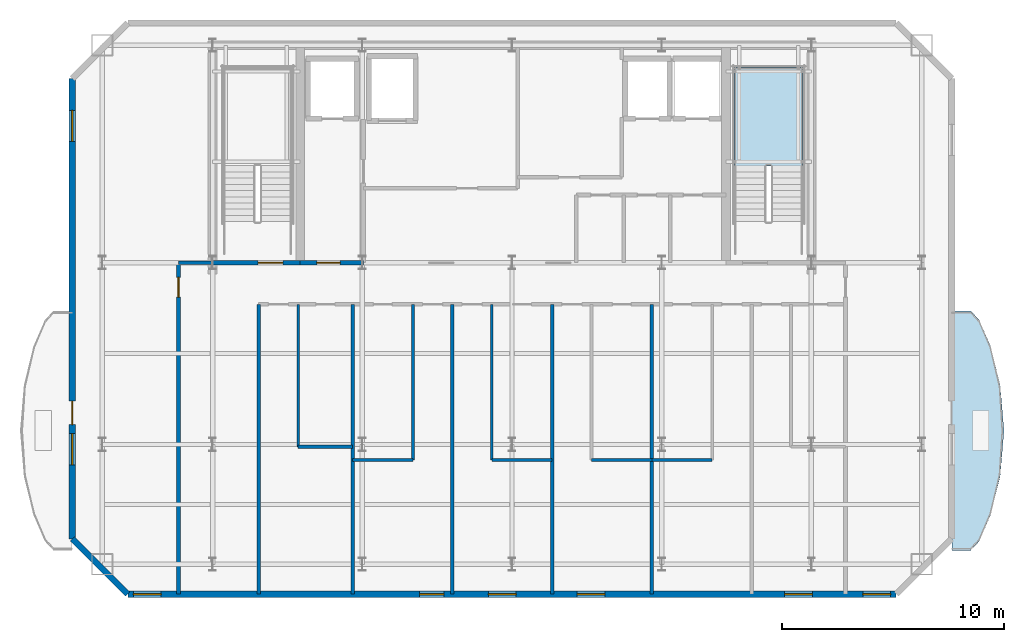
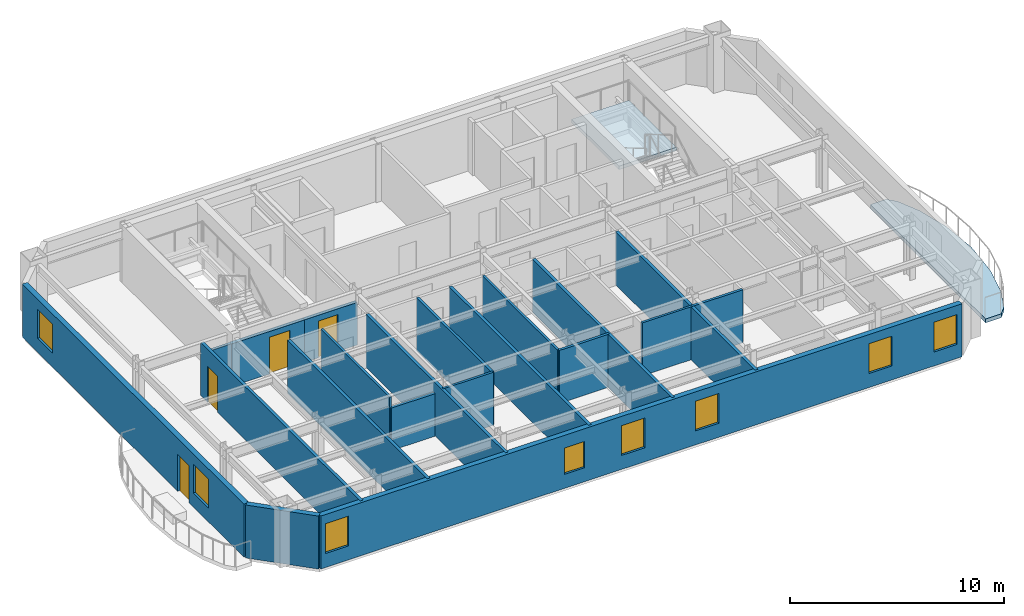
# One storey, part 2 of 6: 20 walls, 8 windows, 4 doors, 2 slabs, 12 openings, 1 element without a shape of its own.
"""IFC4 building model written with IfcOpenShell, lengths in metres."""

from ifc_helpers import new_model, si_unit, direction, frame, frame_2d, origin, place, context, subcontext, project, spatial, polyline, rectangle, outline, extrude, material, layer, layer_set, type_object, element, fill, aggregate, save


model = new_model("IFC4")

# Units and contexts
model_context = context("Model", 3, precision=1e-05, world=origin(), true_north=direction((0.0, 1.0)))
body_context = subcontext(model_context, "Body", "Model", "MODEL_VIEW")
ifc_project = project(units=[si_unit("LENGTHUNIT", "METRE"), si_unit("AREAUNIT", "SQUARE_METRE"), si_unit("VOLUMEUNIT", "CUBIC_METRE"), si_unit("PLANEANGLEUNIT", "RADIAN"), si_unit("MASSUNIT", "GRAM", prefix="KILO")], contexts=[model_context])

# Site, building, storey
site_placement = place(None, origin())
site = spatial("IfcSite", under=ifc_project, at=site_placement, CompositionType="ELEMENT")
building_placement = place(site_placement, origin())
building = spatial("IfcBuilding", under=site, at=building_placement, Name="Haevon Station Towers", CompositionType="ELEMENT")
storey_placement = place(building_placement, frame((0.0, 0.0, 252.60009765625)))
storey = spatial("IfcBuildingStorey", under=building, at=storey_placement, Name="L70", CompositionType="ELEMENT", Elevation=252.60009765625)

# Slab
ifc_material_1 = material(Name="Concrete C40/50", Category="concrete")
ifc_layer_1 = layer(ifc_material_1, 0.219970703125)
ifc_layer_set_1 = layer_set([ifc_layer_1], Name="Concrete C40/50")
slab_type_1 = type_object("IfcSlabType", Name="SL-BALC220", PredefinedType="FLOOR", material=ifc_layer_set_1)
slab_1_placement = place(storey_placement, frame((0.0, 0.0, -0.22021484375)))
element("IfcSlab", 1, at=slab_1_placement, inside=storey, type_object=slab_type_1, Name="Tower 1 L70 East SCALLOPED BALCONY", PredefinedType="FLOOR", context=body_context, shape_type="SweptSolid", body=[
    extrude(outline(polyline([(57.330078125, 25.22509765625), (58.179931640625, 25.22509765625), (58.56298828125, 25.635986328125), (59.0732421875, 26.806640625), (59.5087890625, 28.55859375), (59.683837890625, 30.625), (59.5087890625, 32.69140625), (59.0732421875, 34.443359375), (58.56298828125, 35.614013671875), (58.179931640625, 36.02490234375), (57.330078125, 36.02490234375), (57.330078125, 25.22509765625)])), origin(), (0.0, 0.0, 1.0), 0.22021484375),
])

# Stair, slab
stair_type = type_object("IfcStairType", Name="STR-DL1450", PredefinedType="USERDEFINED", material=ifc_material_1)
stair_placement = place(storey_placement, origin())
stair = element("IfcStair", 2, at=stair_placement, inside=storey, type_object=stair_type, Name="L70 Escape Stair ST2", ObjectType="TWO_RETURN_STAIR", PredefinedType="USERDEFINED")
ifc_layer_2 = layer(ifc_material_1, 0.199951171875)
ifc_layer_set_2 = layer_set([ifc_layer_2], Name="Concrete C40/50")
slab_type_2 = type_object("IfcSlabType", Name="SL-LND200", PredefinedType="LANDING", material=ifc_layer_set_2)
slab_2_placement = place(storey_placement, frame((0.0, 0.0, 1.449951171875)))
slab_2 = element("IfcSlab", 3, at=slab_2_placement, type_object=slab_type_2, Name="L70 ST2 Half Landing 1", PredefinedType="LANDING", context=body_context, shape_type="SweptSolid", body=[
    extrude(outline(polyline([(50.6201171875, 42.56396484375), (50.6201171875, 47.0), (47.52001953125, 47.0), (47.52001953125, 42.56396484375), (50.6201171875, 42.56396484375)])), origin(), (0.0, 0.0, 1.0), 0.199951171875),
])
aggregate(stair, [slab_2])

# Wall, opening, door
ifc_material_2 = material(Name="Gypsum board on steel stud", Category="steel")
ifc_layer_3 = layer(ifc_material_2, 0.199951171875)
ifc_layer_set_3 = layer_set([ifc_layer_3], Name="Gypsum board on steel stud")
wall_type_1 = type_object("IfcWallType", Name="WL-COR200", PredefinedType="PARTITIONING", material=ifc_layer_set_3)
wall_1_placement = place(storey_placement, frame((24.0, 38.199951171875, 0.0), z_axis=(0.0, 0.0, 1.0), x_axis=(1.0, 0.0, 0.0)))
wall_1 = element("IfcWall", 4, at=wall_1_placement, inside=storey, type_object=wall_type_1, Name="WL-ST-ST1-L70", PredefinedType="PARTITIONING", context=body_context, shape_type="SweptSolid", body=[
    extrude(rectangle(XDim=3.949951171875, YDim=0.199951171875, at=frame_2d((1.97509765625, 0.0))), origin(), (0.0, 0.0, 1.0), 2.429931640625),
])
opening_1_placement = place(wall_1_placement, frame((2.050048828125, 0.0, 0.0)))
opening_1 = element("IfcOpeningElement", 5, at=opening_1_placement, cuts=wall_1, Name="Opening DR-ST-ST1-L70", PredefinedType="OPENING", context=body_context, shape_type="SweptSolid", body=[
    extrude(rectangle(XDim=1.1201171875, YDim=2.10009765625, at=frame_2d((0.56005859375, 1.050048828125))), frame((0.0, 0.10986328125, 0.0), z_axis=(0.0, -1.0, 0.0), x_axis=(1.0, 0.0, 0.0)), (0.0, 0.0, 1.0), 0.219970703125),
])
ifc_material_3 = material(Name="Engineered oak timber", Category="wood")
door_type_1 = type_object("IfcDoorType", Name="DR-ST-1120", OperationType="NOTDEFINED", PredefinedType="DOOR", material=ifc_material_3)
door_1_placement = place(opening_1_placement, origin())
door_1 = element("IfcDoor", 6, at=door_1_placement, inside=storey, type_object=door_type_1, Name="L70 Escape Stair ST1 Fire Door", OperationType="SINGLE_SWING_LEFT", OverallHeight=2.10009765625, OverallWidth=1.1201171875, PredefinedType="DOOR", context=body_context, shape_type="SweptSolid", body=[
    extrude(rectangle(XDim=1.1201171875, YDim=2.10009765625, at=frame_2d((0.56005859375, 1.050048828125))), frame((0.0, 0.02490234375, 0.0), z_axis=(0.0, -1.0, 0.0), x_axis=(1.0, 0.0, 0.0)), (0.0, 0.0, 1.0), 0.050048828125),
])
fill(opening_1, door_1)

wall_2_placement = place(storey_placement, frame((27.949951171875, 38.199951171875, 0.0), z_axis=(0.0, 0.0, 1.0), x_axis=(1.0, 0.0, 0.0)))
wall_2 = element("IfcWall", 7, at=wall_2_placement, inside=storey, type_object=wall_type_1, Name="WL-T1FFL-L70-S", PredefinedType="PARTITIONING", context=body_context, shape_type="SweptSolid", body=[
    extrude(rectangle(XDim=2.85009765625, YDim=0.199951171875, at=frame_2d((1.425048828125, 0.0))), origin(), (0.0, 0.0, 1.0), 2.429931640625),
])
opening_2_placement = place(wall_2_placement, frame((0.75, 0.0, 0.0)))
opening_2 = element("IfcOpeningElement", 8, at=opening_2_placement, cuts=wall_2, Name="Opening DR-T1FFL-L70-S", PredefinedType="OPENING", context=body_context, shape_type="SweptSolid", body=[
    extrude(rectangle(XDim=1.050048828125, YDim=2.10009765625, at=frame_2d((0.52490234375, 1.050048828125))), frame((0.0, 0.10986328125, 0.0), z_axis=(0.0, -1.0, 0.0), x_axis=(1.0, 0.0, 0.0)), (0.0, 0.0, 1.0), 0.219970703125),
])
door_type_2 = type_object("IfcDoorType", Name="DR-FD60-1050", OperationType="NOTDEFINED", PredefinedType="DOOR", material=ifc_material_3)
door_2_placement = place(opening_2_placement, origin())
door_2 = element("IfcDoor", 9, at=door_2_placement, inside=storey, type_object=door_type_2, Name="L70 Tower 1 Firefighting Lift Lobby Door S", OperationType="SINGLE_SWING_RIGHT", OverallHeight=2.10009765625, OverallWidth=1.050048828125, PredefinedType="DOOR", context=body_context, shape_type="SweptSolid", body=[
    extrude(rectangle(XDim=1.050048828125, YDim=2.10009765625, at=frame_2d((0.52490234375, 1.050048828125))), frame((0.0, 0.02490234375, 0.0), z_axis=(0.0, -1.0, 0.0), x_axis=(1.0, 0.0, 0.0)), (0.0, 0.0, 1.0), 0.050048828125),
])
fill(opening_2, door_2)

# Wall, openings, windows
ifc_material_4 = material(Name="Precast concrete C45/55", Category="concrete")
ifc_layer_4 = layer(ifc_material_4, 0.280029296875)
ifc_layer_set_4 = layer_set([ifc_layer_4], Name="Precast concrete C45/55")
wall_type_2 = type_object("IfcWallType", Name="WL-EXT-PIER280", PredefinedType="SOLIDWALL", material=ifc_layer_set_4)
wall_3_placement = place(storey_placement, frame((54.824951171875, 23.25, 0.0), z_axis=(0.0, 0.0, 1.0), x_axis=(-1.0, 0.0, 0.0)))
wall_3 = element("IfcWall", 10, at=wall_3_placement, inside=storey, type_object=wall_type_2, Name="WL-T1-L70-S", PredefinedType="SOLIDWALL", context=body_context, shape_type="SweptSolid", body=[
    extrude(rectangle(XDim=34.64990234375, YDim=0.280029296875, at=frame_2d((17.324951171875, 0.0))), origin(), (0.0, 0.0, 1.0), 3.02978515625),
])
opening_3_placement = place(wall_3_placement, frame((33.14990234375, 0.0, 0.800048828125)))
opening_3 = element("IfcOpeningElement", 11, at=opening_3_placement, cuts=wall_3, Name="Opening WN-P125", PredefinedType="OPENING", context=body_context, shape_type="SweptSolid", body=[
    extrude(rectangle(XDim=1.25, YDim=1.699951171875, at=frame_2d((0.625, 0.85009765625))), frame((0.0, 0.14990234375, 0.0), z_axis=(0.0, -1.0, 0.0), x_axis=(1.0, 0.0, 0.0)), (0.0, 0.0, 1.0), 0.300048828125),
])
opening_4_placement = place(wall_3_placement, frame((0.25, 0.0, 0.800048828125)))
opening_4 = element("IfcOpeningElement", 12, at=opening_4_placement, cuts=wall_3, Name="Opening WN-P125", PredefinedType="OPENING", context=body_context, shape_type="SweptSolid", body=[
    extrude(rectangle(XDim=1.25, YDim=1.699951171875, at=frame_2d((0.625, 0.85009765625))), frame((0.0, 0.14990234375, 0.0), z_axis=(0.0, -1.0, 0.0), x_axis=(1.0, 0.0, 0.0)), (0.0, 0.0, 1.0), 0.300048828125),
])
opening_5_placement = place(wall_3_placement, frame((20.393798828125, 0.0, 0.800048828125)))
opening_5 = element("IfcOpeningElement", 13, at=opening_5_placement, cuts=wall_3, Name="Opening WN-COR110", PredefinedType="OPENING", context=body_context, shape_type="SweptSolid", body=[
    extrude(rectangle(XDim=1.10009765625, YDim=1.5, at=frame_2d((0.550048828125, 0.75))), frame((0.0, 0.14990234375, 0.0), z_axis=(0.0, -1.0, 0.0), x_axis=(1.0, 0.0, 0.0)), (0.0, 0.0, 1.0), 0.300048828125),
])
opening_6_placement = place(wall_3_placement, frame((17.139892578125, 0.0, 0.800048828125)))
opening_6 = element("IfcOpeningElement", 14, at=opening_6_placement, cuts=wall_3, Name="Opening WN-P125", PredefinedType="OPENING", context=body_context, shape_type="SweptSolid", body=[
    extrude(rectangle(XDim=1.25, YDim=1.699951171875, at=frame_2d((0.625, 0.85009765625))), frame((0.0, 0.14990234375, 0.0), z_axis=(0.0, -1.0, 0.0), x_axis=(1.0, 0.0, 0.0)), (0.0, 0.0, 1.0), 0.300048828125),
])
opening_7_placement = place(wall_3_placement, frame((13.1396484375, 0.0, 0.800048828125)))
opening_7 = element("IfcOpeningElement", 15, at=opening_7_placement, cuts=wall_3, Name="Opening WN-P125", PredefinedType="OPENING", context=body_context, shape_type="SweptSolid", body=[
    extrude(rectangle(XDim=1.25, YDim=1.699951171875, at=frame_2d((0.625, 0.85009765625))), frame((0.0, 0.14990234375, 0.0), z_axis=(0.0, -1.0, 0.0), x_axis=(1.0, 0.0, 0.0)), (0.0, 0.0, 1.0), 0.300048828125),
])
opening_8_placement = place(wall_3_placement, frame((3.77880859375, 0.0, 0.800048828125)))
opening_8 = element("IfcOpeningElement", 16, at=opening_8_placement, cuts=wall_3, Name="Opening WN-P125", PredefinedType="OPENING", context=body_context, shape_type="SweptSolid", body=[
    extrude(rectangle(XDim=1.25, YDim=1.699951171875, at=frame_2d((0.625, 0.85009765625))), frame((0.0, 0.14990234375, 0.0), z_axis=(0.0, -1.0, 0.0), x_axis=(1.0, 0.0, 0.0)), (0.0, 0.0, 1.0), 0.300048828125),
])
ifc_material_5 = material(Name="Low-E triple glazing in thermally broken aluminium", Category="aluminium")
window_type_1 = type_object("IfcWindowType", Name="WN-COR110", PartitioningType="SINGLE_PANEL", PredefinedType="WINDOW", material=ifc_material_5)
window_1_placement = place(opening_5_placement, origin())
window_1 = element("IfcWindow", 17, at=window_1_placement, inside=storey, type_object=window_type_1, Name="WN-T1-L70-S03", OverallHeight=1.5, OverallWidth=1.10009765625, PartitioningType="SINGLE_PANEL", PredefinedType="WINDOW", context=body_context, shape_type="SweptSolid", body=[
    extrude(rectangle(XDim=1.10009765625, YDim=1.5, at=frame_2d((0.550048828125, 0.75))), frame((0.0, 0.030029296875, 0.0), z_axis=(0.0, -1.0, 0.0), x_axis=(1.0, 0.0, 0.0)), (0.0, 0.0, 1.0), 0.06005859375),
])
fill(opening_5, window_1)
window_type_2 = type_object("IfcWindowType", Name="WN-P125", PartitioningType="SINGLE_PANEL", PredefinedType="WINDOW", material=ifc_material_5)
window_2_placement = place(opening_3_placement, origin())
window_2 = element("IfcWindow", 18, at=window_2_placement, inside=storey, type_object=window_type_2, Name="WN-T1-L70-S01", OverallHeight=1.699951171875, OverallWidth=1.25, PartitioningType="SINGLE_PANEL", PredefinedType="WINDOW", context=body_context, shape_type="SweptSolid", body=[
    extrude(rectangle(XDim=1.25, YDim=1.699951171875, at=frame_2d((0.625, 0.85009765625))), frame((0.0, 0.030029296875, 0.0), z_axis=(0.0, -1.0, 0.0), x_axis=(1.0, 0.0, 0.0)), (0.0, 0.0, 1.0), 0.06005859375),
])
fill(opening_3, window_2)
window_3_placement = place(opening_4_placement, origin())
window_3 = element("IfcWindow", 19, at=window_3_placement, inside=storey, type_object=window_type_2, Name="WN-T1-L70-S02", OverallHeight=1.699951171875, OverallWidth=1.25, PartitioningType="SINGLE_PANEL", PredefinedType="WINDOW", context=body_context, shape_type="SweptSolid", body=[
    extrude(rectangle(XDim=1.25, YDim=1.699951171875, at=frame_2d((0.625, 0.85009765625))), frame((0.0, 0.030029296875, 0.0), z_axis=(0.0, -1.0, 0.0), x_axis=(1.0, 0.0, 0.0)), (0.0, 0.0, 1.0), 0.06005859375),
])
fill(opening_4, window_3)
window_4_placement = place(opening_6_placement, origin())
window_4 = element("IfcWindow", 20, at=window_4_placement, inside=storey, type_object=window_type_2, Name="WN-T1-L70-S04", OverallHeight=1.699951171875, OverallWidth=1.25, PartitioningType="SINGLE_PANEL", PredefinedType="WINDOW", context=body_context, shape_type="SweptSolid", body=[
    extrude(rectangle(XDim=1.25, YDim=1.699951171875, at=frame_2d((0.625, 0.85009765625))), frame((0.0, 0.030029296875, 0.0), z_axis=(0.0, -1.0, 0.0), x_axis=(1.0, 0.0, 0.0)), (0.0, 0.0, 1.0), 0.06005859375),
])
fill(opening_6, window_4)
window_5_placement = place(opening_7_placement, origin())
window_5 = element("IfcWindow", 21, at=window_5_placement, inside=storey, type_object=window_type_2, Name="WN-T1-L70-S05", OverallHeight=1.699951171875, OverallWidth=1.25, PartitioningType="SINGLE_PANEL", PredefinedType="WINDOW", context=body_context, shape_type="SweptSolid", body=[
    extrude(rectangle(XDim=1.25, YDim=1.699951171875, at=frame_2d((0.625, 0.85009765625))), frame((0.0, 0.030029296875, 0.0), z_axis=(0.0, -1.0, 0.0), x_axis=(1.0, 0.0, 0.0)), (0.0, 0.0, 1.0), 0.06005859375),
])
fill(opening_7, window_5)
window_6_placement = place(opening_8_placement, origin())
window_6 = element("IfcWindow", 22, at=window_6_placement, inside=storey, type_object=window_type_2, Name="WN-T1-L70-S06", OverallHeight=1.699951171875, OverallWidth=1.25, PartitioningType="SINGLE_PANEL", PredefinedType="WINDOW", context=body_context, shape_type="SweptSolid", body=[
    extrude(rectangle(XDim=1.25, YDim=1.699951171875, at=frame_2d((0.625, 0.85009765625))), frame((0.0, 0.030029296875, 0.0), z_axis=(0.0, -1.0, 0.0), x_axis=(1.0, 0.0, 0.0)), (0.0, 0.0, 1.0), 0.06005859375),
])
fill(opening_8, window_6)

# Wall
wall_4_placement = place(storey_placement, frame((20.175048828125, 23.25, 0.0), z_axis=(0.0, 0.0, 1.0), x_axis=(-0.707106781187, 0.707106781187, 0.0)))
element("IfcWall", 23, at=wall_4_placement, inside=storey, type_object=wall_type_2, Name="WL-T1-L70-SWC", PredefinedType="SOLIDWALL", context=body_context, shape_type="SweptSolid", body=[
    extrude(rectangle(XDim=3.53564453125, YDim=0.280029296875, at=frame_2d((1.767822265625, 0.0))), origin(), (0.0, 0.0, 1.0), 3.02978515625),
])

# Wall, openings, door, windows
wall_5_placement = place(storey_placement, frame((17.675048828125, 25.75, 0.0), z_axis=(0.0, 0.0, 1.0), x_axis=(0.0, 1.0, 0.0)))
wall_5 = element("IfcWall", 24, at=wall_5_placement, inside=storey, type_object=wall_type_2, Name="WL-T1-L70-W", PredefinedType="SOLIDWALL", context=body_context, shape_type="SweptSolid", body=[
    extrude(rectangle(XDim=20.75, YDim=0.280029296875, at=frame_2d((10.375, 0.0))), origin(), (0.0, 0.0, 1.0), 3.02978515625),
])
opening_9_placement = place(wall_5_placement, frame((5.14990234375, 0.0, 0.0)))
opening_9 = element("IfcOpeningElement", 25, at=opening_9_placement, cuts=wall_5, Name="Opening DR-T1-SCAL-L70-W", PredefinedType="OPENING", context=body_context, shape_type="SweptSolid", body=[
    extrude(rectangle(XDim=1.050048828125, YDim=2.10009765625, at=frame_2d((0.52490234375, 1.050048828125))), frame((0.0, 0.14990234375, 0.0), z_axis=(0.0, -1.0, 0.0), x_axis=(1.0, 0.0, 0.0)), (0.0, 0.0, 1.0), 0.300048828125),
])
opening_10_placement = place(wall_5_placement, frame((3.335693359375, 0.0, 0.800048828125)))
opening_10 = element("IfcOpeningElement", 26, at=opening_10_placement, cuts=wall_5, Name="Opening WN-END140", PredefinedType="OPENING", context=body_context, shape_type="SweptSolid", body=[
    extrude(rectangle(XDim=1.39990234375, YDim=1.64990234375, at=frame_2d((0.699951171875, 0.824951171875))), frame((0.0, 0.14990234375, 0.0), z_axis=(0.0, -1.0, 0.0), x_axis=(1.0, 0.0, 0.0)), (0.0, 0.0, 1.0), 0.300048828125),
])
opening_11_placement = place(wall_5_placement, frame((17.916015625, 0.0, 0.800048828125)))
opening_11 = element("IfcOpeningElement", 27, at=opening_11_placement, cuts=wall_5, Name="Opening WN-END140", PredefinedType="OPENING", context=body_context, shape_type="SweptSolid", body=[
    extrude(rectangle(XDim=1.39990234375, YDim=1.64990234375, at=frame_2d((0.699951171875, 0.824951171875))), frame((0.0, 0.14990234375, 0.0), z_axis=(0.0, -1.0, 0.0), x_axis=(1.0, 0.0, 0.0)), (0.0, 0.0, 1.0), 0.300048828125),
])
ifc_material_6 = material(Name="Thermally broken anodised aluminium and laminated safety glass", Category="aluminium")
door_type_3 = type_object("IfcDoorType", Name="DR-BALC-1050", OperationType="NOTDEFINED", PredefinedType="DOOR", material=ifc_material_6)
door_3_placement = place(opening_9_placement, origin())
door_3 = element("IfcDoor", 28, at=door_3_placement, inside=storey, type_object=door_type_3, Name="Tower 1 L70 West Scalloped Balcony Door", OperationType="SINGLE_SWING_RIGHT", OverallHeight=2.10009765625, OverallWidth=1.050048828125, PredefinedType="DOOR", context=body_context, shape_type="SweptSolid", body=[
    extrude(rectangle(XDim=1.050048828125, YDim=2.10009765625, at=frame_2d((0.52490234375, 1.050048828125))), frame((0.0, 0.02490234375, 0.0), z_axis=(0.0, -1.0, 0.0), x_axis=(1.0, 0.0, 0.0)), (0.0, 0.0, 1.0), 0.050048828125),
])
fill(opening_9, door_3)
window_type_3 = type_object("IfcWindowType", Name="WN-END140", PartitioningType="SINGLE_PANEL", PredefinedType="WINDOW", material=ifc_material_5)
window_7_placement = place(opening_10_placement, origin())
window_7 = element("IfcWindow", 29, at=window_7_placement, inside=storey, type_object=window_type_3, Name="WN-T1-L70-W01", OverallHeight=1.64990234375, OverallWidth=1.39990234375, PartitioningType="SINGLE_PANEL", PredefinedType="WINDOW", context=body_context, shape_type="SweptSolid", body=[
    extrude(rectangle(XDim=1.39990234375, YDim=1.64990234375, at=frame_2d((0.699951171875, 0.824951171875))), frame((0.0, 0.030029296875, 0.0), z_axis=(0.0, -1.0, 0.0), x_axis=(1.0, 0.0, 0.0)), (0.0, 0.0, 1.0), 0.06005859375),
])
fill(opening_10, window_7)
window_8_placement = place(opening_11_placement, origin())
window_8 = element("IfcWindow", 30, at=window_8_placement, inside=storey, type_object=window_type_3, Name="WN-T1-L70-W02", OverallHeight=1.64990234375, OverallWidth=1.39990234375, PartitioningType="SINGLE_PANEL", PredefinedType="WINDOW", context=body_context, shape_type="SweptSolid", body=[
    extrude(rectangle(XDim=1.39990234375, YDim=1.64990234375, at=frame_2d((0.699951171875, 0.824951171875))), frame((0.0, 0.030029296875, 0.0), z_axis=(0.0, -1.0, 0.0), x_axis=(1.0, 0.0, 0.0)), (0.0, 0.0, 1.0), 0.06005859375),
])
fill(opening_11, window_8)

# Walls
ifc_layer_5 = layer(ifc_material_2, 0.125)
ifc_layer_set_5 = layer_set([ifc_layer_5], Name="Gypsum board on steel stud")
wall_type_3 = type_object("IfcWallType", Name="WL-PRT125", PredefinedType="PARTITIONING", material=ifc_layer_set_5)
wall_6_placement = place(storey_placement, frame((27.860107421875, 29.8974609375, 0.0), z_axis=(0.0, 0.0, 1.0), x_axis=(0.0, 1.0, 0.0)))
element("IfcWall", 31, at=wall_6_placement, inside=storey, type_object=wall_type_3, Name="WL-T1PT-L70-07", PredefinedType="PARTITIONING", context=body_context, shape_type="SweptSolid", body=[
    extrude(rectangle(XDim=6.422607421875, YDim=0.125, at=frame_2d((3.21142578125, 0.0))), origin(), (0.0, 0.0, 1.0), 3.02978515625),
])
wall_7_placement = place(storey_placement, frame((30.313232421875, 29.296630859375, 0.0), z_axis=(0.0, 0.0, 1.0), x_axis=(1.0, 0.0, 0.0)))
element("IfcWall", 32, at=wall_7_placement, inside=storey, type_object=wall_type_3, Name="WL-T1PT-L70-09", PredefinedType="PARTITIONING", context=body_context, shape_type="SweptSolid", body=[
    extrude(rectangle(XDim=2.7177734375, YDim=0.125, at=frame_2d((1.35888671875, 0.0))), origin(), (0.0, 0.0, 1.0), 3.02978515625),
])
wall_8_placement = place(storey_placement, frame((36.591064453125, 29.29638671875, 0.0), z_axis=(0.0, 0.0, 1.0), x_axis=(0.0, 1.0, 0.0)))
element("IfcWall", 33, at=wall_8_placement, inside=storey, type_object=wall_type_3, Name="WL-T1PT-L70-13", PredefinedType="PARTITIONING", context=body_context, shape_type="SweptSolid", body=[
    extrude(rectangle(XDim=7.023681640625, YDim=0.125, at=frame_2d((3.51171875, 0.0))), origin(), (0.0, 0.0, 1.0), 3.02978515625),
])
wall_9_placement = place(storey_placement, frame((41.089111328125, 29.29638671875, 0.0), z_axis=(0.0, 0.0, 1.0), x_axis=(1.0, 0.0, 0.0)))
element("IfcWall", 34, at=wall_9_placement, inside=storey, type_object=wall_type_3, Name="WL-T1PT-L70-15", PredefinedType="PARTITIONING", context=body_context, shape_type="SweptSolid", body=[
    extrude(rectangle(XDim=2.7177734375, YDim=0.125, at=frame_2d((1.35888671875, 0.0))), origin(), (0.0, 0.0, 1.0), 3.02978515625),
])
ifc_layer_6 = layer(ifc_material_2, 0.139892578125)
ifc_layer_set_6 = layer_set([ifc_layer_6], Name="Gypsum board on steel stud")
wall_type_4 = type_object("IfcWallType", Name="WL-PRT140", PredefinedType="PARTITIONING", material=ifc_layer_set_6)
wall_10_placement = place(storey_placement, frame((27.860107421875, 29.8974609375, 0.0), z_axis=(0.0, 0.0, 1.0), x_axis=(1.0, 0.0, 0.0)))
element("IfcWall", 35, at=wall_10_placement, inside=storey, type_object=wall_type_4, Name="WL-T1PT-L70-06", PredefinedType="PARTITIONING", context=body_context, shape_type="SweptSolid", body=[
    extrude(rectangle(XDim=2.453125, YDim=0.139892578125, at=frame_2d((1.2265625, 0.0))), origin(), (0.0, 0.0, 1.0), 2.429931640625),
])
wall_11_placement = place(storey_placement, frame((33.031005859375, 29.296630859375, 0.0), z_axis=(0.0, 0.0, 1.0), x_axis=(0.0, 1.0, 0.0)))
element("IfcWall", 36, at=wall_11_placement, inside=storey, type_object=wall_type_4, Name="WL-T1PT-L70-10", PredefinedType="PARTITIONING", context=body_context, shape_type="SweptSolid", body=[
    extrude(rectangle(XDim=7.0234375, YDim=0.139892578125, at=frame_2d((3.51171875, 0.0))), origin(), (0.0, 0.0, 1.0), 3.02978515625),
])
wall_12_placement = place(storey_placement, frame((36.591064453125, 29.29638671875, 0.0), z_axis=(0.0, 0.0, 1.0), x_axis=(1.0, 0.0, 0.0)))
element("IfcWall", 37, at=wall_12_placement, inside=storey, type_object=wall_type_4, Name="WL-T1PT-L70-12", PredefinedType="PARTITIONING", context=body_context, shape_type="SweptSolid", body=[
    extrude(rectangle(XDim=2.718017578125, YDim=0.139892578125, at=frame_2d((1.35888671875, 0.0))), origin(), (0.0, 0.0, 1.0), 3.02978515625),
])
wall_13_placement = place(storey_placement, frame((43.806884765625, 29.296630859375, 0.0), z_axis=(0.0, 0.0, 1.0), x_axis=(1.0, 0.0, 0.0)))
element("IfcWall", 38, at=wall_13_placement, inside=storey, type_object=wall_type_4, Name="WL-T1PT-L70-18", PredefinedType="PARTITIONING", context=body_context, shape_type="SweptSolid", body=[
    extrude(rectangle(XDim=2.7177734375, YDim=0.139892578125, at=frame_2d((1.35888671875, 0.0))), origin(), (0.0, 0.0, 1.0), 3.02978515625),
])
ifc_layer_7 = layer(ifc_material_2, 0.159912109375)
ifc_layer_set_7 = layer_set([ifc_layer_7], Name="Gypsum board on steel stud")
wall_type_5 = type_object("IfcWallType", Name="WL-PRT160", PredefinedType="PARTITIONING", material=ifc_layer_set_7)
wall_14_placement = place(storey_placement, frame((26.080078125, 23.25, 0.0), z_axis=(0.0, 0.0, 1.0), x_axis=(0.0, 1.0, 0.0)))
element("IfcWall", 39, at=wall_14_placement, inside=storey, type_object=wall_type_5, Name="WL-T1PT-L70-01", PredefinedType="PARTITIONING", context=body_context, shape_type="SweptSolid", body=[
    extrude(rectangle(XDim=13.070068359375, YDim=0.159912109375, at=frame_2d((6.53515625, 0.0))), origin(), (0.0, 0.0, 1.0), 3.02978515625),
])
wall_15_placement = place(storey_placement, frame((22.4619140625, 38.199951171875, 0.0), z_axis=(0.0, 0.0, 1.0), x_axis=(1.0, 0.0, 0.0)))
element("IfcWall", 40, at=wall_15_placement, inside=storey, type_object=wall_type_5, Name="WL-T1PT-L70-02", PredefinedType="PARTITIONING", context=body_context, shape_type="SweptSolid", body=[
    extrude(rectangle(XDim=1.5380859375, YDim=0.159912109375, at=frame_2d((0.76904296875, 0.0))), origin(), (0.0, 0.0, 1.0), 2.429931640625),
])

# Wall, opening, door
wall_16_placement = place(storey_placement, frame((22.4619140625, 23.25, 0.0), z_axis=(0.0, 0.0, 1.0), x_axis=(0.0, 1.0, 0.0)))
wall_16 = element("IfcWall", 41, at=wall_16_placement, inside=storey, type_object=wall_type_5, Name="WL-T1PT-L70-04", PredefinedType="PARTITIONING", context=body_context, shape_type="SweptSolid", body=[
    extrude(rectangle(XDim=14.949951171875, YDim=0.159912109375, at=frame_2d((7.47509765625, 0.0))), origin(), (0.0, 0.0, 1.0), 3.02978515625),
])
opening_12_placement = place(wall_16_placement, frame((13.389892578125, 0.0, 0.0)))
opening_12 = element("IfcOpeningElement", 42, at=opening_12_placement, cuts=wall_16, Name="Opening DR-WL-T1PT-L70-04-01", PredefinedType="OPENING", context=body_context, shape_type="SweptSolid", body=[
    extrude(rectangle(XDim=0.89990234375, YDim=2.050048828125, at=frame_2d((0.449951171875, 1.02490234375))), frame((0.0, 0.08984375, 0.0), z_axis=(0.0, -1.0, 0.0), x_axis=(1.0, 0.0, 0.0)), (0.0, 0.0, 1.0), 0.179931640625),
])
door_type_4 = type_object("IfcDoorType", Name="DR-INT-900", OperationType="NOTDEFINED", PredefinedType="DOOR", material=ifc_material_3)
door_4_placement = place(opening_12_placement, origin())
door_4 = element("IfcDoor", 43, at=door_4_placement, inside=storey, type_object=door_type_4, Name="L70 Tower 1 Room Door 4-1", OperationType="SINGLE_SWING_LEFT", OverallHeight=2.050048828125, OverallWidth=0.89990234375, PredefinedType="DOOR", context=body_context, shape_type="SweptSolid", body=[
    extrude(rectangle(XDim=0.89990234375, YDim=2.050048828125, at=frame_2d((0.449951171875, 1.02490234375))), frame((0.0, 0.02490234375, 0.0), z_axis=(0.0, -1.0, 0.0), x_axis=(1.0, 0.0, 0.0)), (0.0, 0.0, 1.0), 0.050048828125),
])
fill(opening_12, door_4)

# Walls
for number, where, z_axis, x_axis, name in (
    (44, (30.313232421875, 23.25, 0.0), (0.0, 0.0, 1.0), (0.0, 1.0, 0.0), "WL-T1PT-L70-08"),
    (45, (34.81103515625, 23.25, 0.0), (0.0, 0.0, 1.0), (0.0, 1.0, 0.0), "WL-T1PT-L70-11"),
    (46, (39.30908203125, 23.25, 0.0), (0.0, 0.0, 1.0), (0.0, 1.0, 0.0), "WL-T1PT-L70-14"),
    (47, (43.806884765625, 23.25, 0.0), (0.0, 0.0, 1.0), (0.0, 1.0, 0.0), "WL-T1PT-L70-17"),
):
    element("IfcWall", number, at=place(storey_placement, frame(where, z_axis=z_axis, x_axis=x_axis)), inside=storey, type_object=wall_type_5, Name=name, PredefinedType="PARTITIONING", context=body_context, shape_type="SweptSolid", body=[
        extrude(rectangle(XDim=13.070068359375, YDim=0.159912109375, at=frame_2d((6.53515625, 0.0))), origin(), (0.0, 0.0, 1.0), 3.02978515625),
    ])

save(model, "model.ifc")
